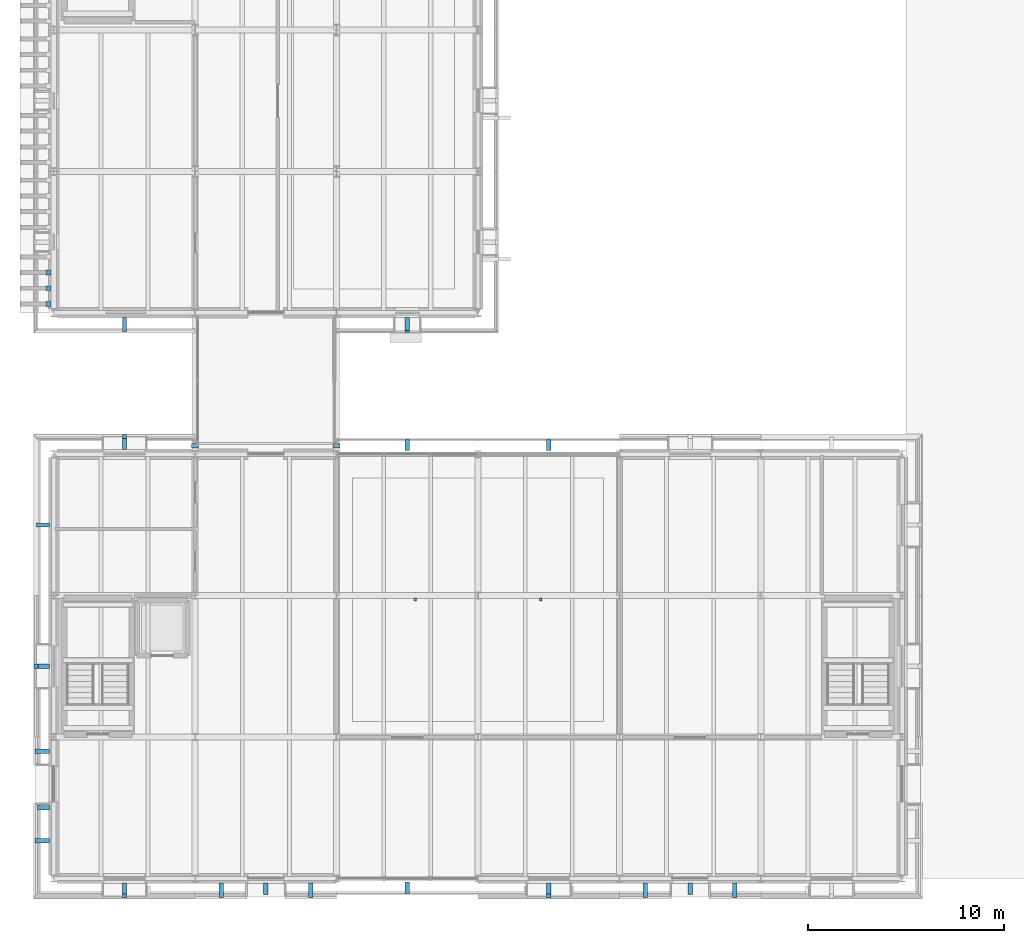
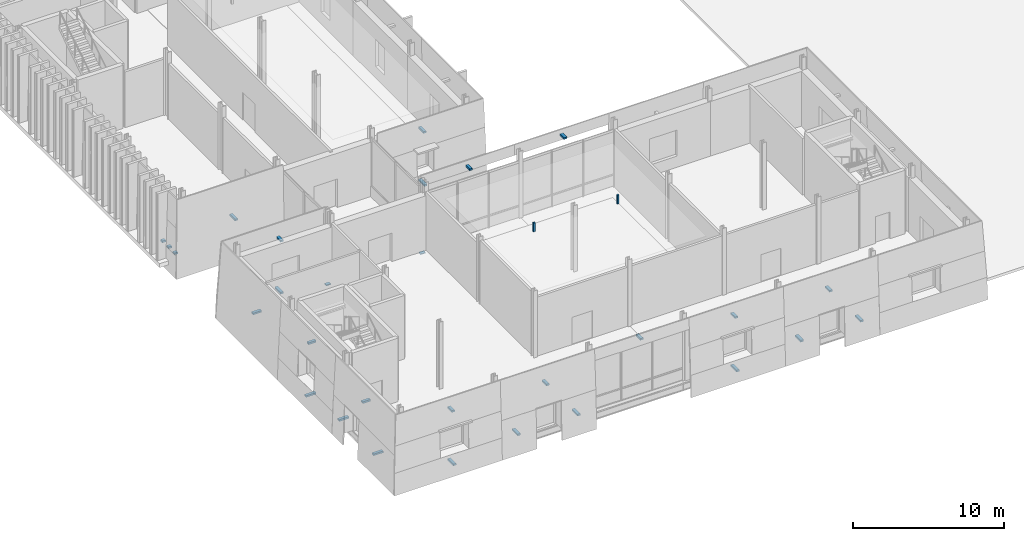
# One storey, part 86 of 120: 31 discrete accessories.
"""IFC4 building model written with IfcOpenShell, lengths in metres."""

from ifc_helpers import new_model, si_unit, direction, frame, origin, origin_2d, place, context, subcontext, project, spatial, rectangle, extrude, material, layer, layer_set, type_object, element, save


model = new_model("IFC4")

# Units and contexts
model_context = context("Model", 3, precision=1e-05, world=origin(), true_north=direction((0.0, 1.0)))
body_context = subcontext(model_context, "Body", "Model", "MODEL_VIEW")
ifc_project = project(units=[si_unit("LENGTHUNIT", "METRE"), si_unit("AREAUNIT", "SQUARE_METRE"), si_unit("VOLUMEUNIT", "CUBIC_METRE"), si_unit("PLANEANGLEUNIT", "RADIAN"), si_unit("MASSUNIT", "GRAM", prefix="KILO")], contexts=[model_context])

# Site, building, storey
site_placement = place(None, origin())
site = spatial("IfcSite", under=ifc_project, at=site_placement, CompositionType="ELEMENT")
building_placement = place(site_placement, origin())
building = spatial("IfcBuilding", under=site, at=building_placement, Name="Narikvali Park Central Library", CompositionType="ELEMENT")
storey_placement = place(building_placement, origin())
storey = spatial("IfcBuildingStorey", under=building, at=storey_placement, Name="L00", CompositionType="ELEMENT", Elevation=0.0)

# Discrete accessories
ifc_material_1 = material(Name="Brushed Stainless Steel S355", Category="steel")
ifc_layer_1 = layer(ifc_material_1, 0.139892578125, Name="Brushed Stainless Steel S355")
ifc_layer_set_1 = layer_set([ifc_layer_1], Name="Brushed Stainless Steel S355")
discrete_accessory_type_1 = type_object("IfcDiscreteAccessoryType", Name="Cladding Stainless Tie-Back Corbel Bracket", PredefinedType="BRACKET", material=ifc_layer_set_1)
discrete_accessory_1_placement = place(storey_placement, frame((3.60009765625, -0.61328125, -0.06005859375), z_axis=(0.0, 0.0, 1.0), x_axis=(1.0, 0.0, 0.0)))
element("IfcDiscreteAccessory", 1, at=discrete_accessory_1_placement, inside=storey, type_object=discrete_accessory_type_1, Name="Limestone Cladding Tie-Back Bracket V2-CLD-L00-S-B01-SP", PredefinedType="BRACKET", context=body_context, shape_type="SweptSolid", body=[
    extrude(rectangle(XDim=0.219970703125, YDim=0.7666015625, at=origin_2d()), origin(), (0.0, 0.0, 1.0), 0.139892578125),
])
discrete_accessory_2_placement = place(storey_placement, frame((3.60009765625, -0.515625, 4.1298828125), z_axis=(0.0, 0.0, 1.0), x_axis=(1.0, 0.0, 0.0)))
element("IfcDiscreteAccessory", 2, at=discrete_accessory_2_placement, inside=storey, type_object=discrete_accessory_type_1, Name="Limestone Cladding Tie-Back Bracket V2-CLD-L00-S-B01-LN", PredefinedType="BRACKET", context=body_context, shape_type="SweptSolid", body=[
    extrude(rectangle(XDim=0.219970703125, YDim=0.571044921875, at=origin_2d()), origin(), (0.0, 0.0, 1.0), 0.139892578125),
])
for number, where, z_axis, x_axis, name in (
    (3, (8.52001953125, -0.595703125, 0.60986328125), (0.0, 0.0, 1.0), (1.0, 0.0, 0.0), "Limestone Cladding Tie-Back Bracket V2-CLD-L00-S-B02-DL"),
    (4, (13.080078125, -0.595703125, 0.60986328125), (0.0, 0.0, 1.0), (1.0, 0.0, 0.0), "Limestone Cladding Tie-Back Bracket V2-CLD-L00-S-B02-DR"),
):
    element("IfcDiscreteAccessory", number, at=place(storey_placement, frame(where, z_axis=z_axis, x_axis=x_axis)), inside=storey, type_object=discrete_accessory_type_1, Name=name, PredefinedType="BRACKET", context=body_context, shape_type="SweptSolid", body=[
        extrude(rectangle(XDim=0.219970703125, YDim=0.731689453125, at=origin_2d()), origin(), (0.0, 0.0, 1.0), 0.139892578125),
    ])
discrete_accessory_3_placement = place(storey_placement, frame((10.800048828125, -0.525390625, 3.75), z_axis=(0.0, 0.0, 1.0), x_axis=(1.0, 0.0, 0.0)))
element("IfcDiscreteAccessory", 5, at=discrete_accessory_3_placement, inside=storey, type_object=discrete_accessory_type_1, Name="Limestone Cladding Tie-Back Bracket V2-CLD-L00-S-B02-DH", PredefinedType="BRACKET", context=body_context, shape_type="SweptSolid", body=[
    extrude(rectangle(XDim=0.219970703125, YDim=0.591064453125, at=origin_2d()), origin(), (0.0, 0.0, 1.0), 0.139892578125),
])
discrete_accessory_4_placement = place(storey_placement, frame((18.0, -0.47607421875, 4.8798828125), z_axis=(0.0, 0.0, 1.0), x_axis=(1.0, 0.0, 0.0)))
element("IfcDiscreteAccessory", 6, at=discrete_accessory_4_placement, inside=storey, type_object=discrete_accessory_type_1, Name="Limestone Cladding Tie-Back Bracket V2-CLD-L00-S-B03-HDR", PredefinedType="BRACKET", context=body_context, shape_type="SweptSolid", body=[
    extrude(rectangle(XDim=0.219970703125, YDim=0.572021484375, at=origin_2d()), origin(), (0.0, 0.0, 1.0), 0.139892578125),
])
discrete_accessory_5_placement = place(storey_placement, frame((25.199951171875, -0.61328125, -0.06005859375), z_axis=(0.0, 0.0, 1.0), x_axis=(1.0, 0.0, 0.0)))
element("IfcDiscreteAccessory", 7, at=discrete_accessory_5_placement, inside=storey, type_object=discrete_accessory_type_1, Name="Limestone Cladding Tie-Back Bracket V2-CLD-L00-S-B04-SP", PredefinedType="BRACKET", context=body_context, shape_type="SweptSolid", body=[
    extrude(rectangle(XDim=0.219970703125, YDim=0.7666015625, at=origin_2d()), origin(), (0.0, 0.0, 1.0), 0.139892578125),
])
discrete_accessory_6_placement = place(storey_placement, frame((25.199951171875, -0.515625, 4.1298828125), z_axis=(0.0, 0.0, 1.0), x_axis=(1.0, 0.0, 0.0)))
element("IfcDiscreteAccessory", 8, at=discrete_accessory_6_placement, inside=storey, type_object=discrete_accessory_type_1, Name="Limestone Cladding Tie-Back Bracket V2-CLD-L00-S-B04-LN", PredefinedType="BRACKET", context=body_context, shape_type="SweptSolid", body=[
    extrude(rectangle(XDim=0.219970703125, YDim=0.571044921875, at=origin_2d()), origin(), (0.0, 0.0, 1.0), 0.139892578125),
])
for number, where, z_axis, x_axis, name in (
    (9, (30.1201171875, -0.595703125, 0.60986328125), (0.0, 0.0, 1.0), (1.0, 0.0, 0.0), "Limestone Cladding Tie-Back Bracket V2-CLD-L00-S-B05-DL"),
    (10, (34.679931640625, -0.595703125, 0.60986328125), (0.0, 0.0, 1.0), (1.0, 0.0, 0.0), "Limestone Cladding Tie-Back Bracket V2-CLD-L00-S-B05-DR"),
):
    element("IfcDiscreteAccessory", number, at=place(storey_placement, frame(where, z_axis=z_axis, x_axis=x_axis)), inside=storey, type_object=discrete_accessory_type_1, Name=name, PredefinedType="BRACKET", context=body_context, shape_type="SweptSolid", body=[
        extrude(rectangle(XDim=0.219970703125, YDim=0.731689453125, at=origin_2d()), origin(), (0.0, 0.0, 1.0), 0.139892578125),
    ])
discrete_accessory_7_placement = place(storey_placement, frame((32.39990234375, -0.525390625, 3.75), z_axis=(0.0, 0.0, 1.0), x_axis=(1.0, 0.0, 0.0)))
element("IfcDiscreteAccessory", 11, at=discrete_accessory_7_placement, inside=storey, type_object=discrete_accessory_type_1, Name="Limestone Cladding Tie-Back Bracket V2-CLD-L00-S-B05-DH", PredefinedType="BRACKET", context=body_context, shape_type="SweptSolid", body=[
    extrude(rectangle(XDim=0.219970703125, YDim=0.591064453125, at=origin_2d()), origin(), (0.0, 0.0, 1.0), 0.139892578125),
])
for number, where, z_axis, x_axis, name in (
    (12, (25.199951171875, 22.075927734375, 4.8798828125), (0.0, 0.0, 1.0), (1.0, 0.0, 0.0), "Limestone Cladding Tie-Back Bracket V2-CLD-L00-N-B03-HDR"),
    (13, (18.0, 22.075927734375, 4.8798828125), (0.0, 0.0, 1.0), (1.0, 0.0, 0.0), "Limestone Cladding Tie-Back Bracket V2-CLD-L00-N-B04-HDR"),
):
    element("IfcDiscreteAccessory", number, at=place(storey_placement, frame(where, z_axis=z_axis, x_axis=x_axis)), inside=storey, type_object=discrete_accessory_type_1, Name=name, PredefinedType="BRACKET", context=body_context, shape_type="SweptSolid", body=[
        extrude(rectangle(XDim=0.219970703125, YDim=0.572021484375, at=origin_2d()), origin(), (0.0, 0.0, 1.0), 0.139892578125),
    ])
discrete_accessory_8_placement = place(storey_placement, frame((3.60009765625, 22.21337890625, -0.06005859375), z_axis=(0.0, 0.0, 1.0), x_axis=(1.0, 0.0, 0.0)))
element("IfcDiscreteAccessory", 14, at=discrete_accessory_8_placement, inside=storey, type_object=discrete_accessory_type_1, Name="Limestone Cladding Tie-Back Bracket V2-CLD-L00-N-B06-SP", PredefinedType="BRACKET", context=body_context, shape_type="SweptSolid", body=[
    extrude(rectangle(XDim=0.219970703125, YDim=0.7666015625, at=origin_2d()), origin(), (0.0, 0.0, 1.0), 0.139892578125),
])
discrete_accessory_9_placement = place(storey_placement, frame((3.60009765625, 22.115478515625, 4.1298828125), z_axis=(0.0, 0.0, 1.0), x_axis=(1.0, 0.0, 0.0)))
element("IfcDiscreteAccessory", 15, at=discrete_accessory_9_placement, inside=storey, type_object=discrete_accessory_type_1, Name="Limestone Cladding Tie-Back Bracket V2-CLD-L00-N-B06-LN", PredefinedType="BRACKET", context=body_context, shape_type="SweptSolid", body=[
    extrude(rectangle(XDim=0.219970703125, YDim=0.571044921875, at=origin_2d()), origin(), (0.0, 0.0, 1.0), 0.139892578125),
])
discrete_accessory_10_placement = place(storey_placement, frame((-0.5546875, 18.0, 2.18994140625), z_axis=(0.0, 0.0, 1.0), x_axis=(1.0, 0.0, 0.0)))
element("IfcDiscreteAccessory", 16, at=discrete_accessory_10_placement, inside=storey, type_object=discrete_accessory_type_1, Name="Limestone Cladding Tie-Back Bracket V2-CLD-L00-W-B01-FULL", PredefinedType="BRACKET", context=body_context, shape_type="SweptSolid", body=[
    extrude(rectangle(XDim=0.6494140625, YDim=0.219970703125, at=origin_2d()), origin(), (0.0, 0.0, 1.0), 0.139892578125),
])
discrete_accessory_11_placement = place(storey_placement, frame((-0.61328125, 10.800048828125, -0.06005859375), z_axis=(0.0, 0.0, 1.0), x_axis=(1.0, 0.0, 0.0)))
element("IfcDiscreteAccessory", 17, at=discrete_accessory_11_placement, inside=storey, type_object=discrete_accessory_type_1, Name="Limestone Cladding Tie-Back Bracket V2-CLD-L00-W-B02-SP", PredefinedType="BRACKET", context=body_context, shape_type="SweptSolid", body=[
    extrude(rectangle(XDim=0.7666015625, YDim=0.219970703125, at=origin_2d()), origin(), (0.0, 0.0, 1.0), 0.139892578125),
])
discrete_accessory_12_placement = place(storey_placement, frame((-0.515625, 10.800048828125, 4.1298828125), z_axis=(0.0, 0.0, 1.0), x_axis=(1.0, 0.0, 0.0)))
element("IfcDiscreteAccessory", 18, at=discrete_accessory_12_placement, inside=storey, type_object=discrete_accessory_type_1, Name="Limestone Cladding Tie-Back Bracket V2-CLD-L00-W-B02-LN", PredefinedType="BRACKET", context=body_context, shape_type="SweptSolid", body=[
    extrude(rectangle(XDim=0.571044921875, YDim=0.219970703125, at=origin_2d()), origin(), (0.0, 0.0, 1.0), 0.139892578125),
])
for number, where, z_axis, x_axis, name in (
    (19, (-0.595703125, 6.47998046875, 0.60986328125), (0.0, 0.0, 1.0), (1.0, 0.0, 0.0), "Limestone Cladding Tie-Back Bracket V2-CLD-L00-W-B03-DL"),
    (20, (-0.595703125, 1.919921875, 0.60986328125), (0.0, 0.0, 1.0), (1.0, 0.0, 0.0), "Limestone Cladding Tie-Back Bracket V2-CLD-L00-W-B03-DR"),
):
    element("IfcDiscreteAccessory", number, at=place(storey_placement, frame(where, z_axis=z_axis, x_axis=x_axis)), inside=storey, type_object=discrete_accessory_type_1, Name=name, PredefinedType="BRACKET", context=body_context, shape_type="SweptSolid", body=[
        extrude(rectangle(XDim=0.731689453125, YDim=0.219970703125, at=origin_2d()), origin(), (0.0, 0.0, 1.0), 0.139892578125),
    ])
discrete_accessory_13_placement = place(storey_placement, frame((-0.525390625, 3.60009765625, 3.75), z_axis=(0.0, 0.0, 1.0), x_axis=(1.0, 0.0, 0.0)))
element("IfcDiscreteAccessory", 21, at=discrete_accessory_13_placement, inside=storey, type_object=discrete_accessory_type_1, Name="Limestone Cladding Tie-Back Bracket V2-CLD-L00-W-B03-DH", PredefinedType="BRACKET", context=body_context, shape_type="SweptSolid", body=[
    extrude(rectangle(XDim=0.591064453125, YDim=0.219970703125, at=origin_2d()), origin(), (0.0, 0.0, 1.0), 0.139892578125),
])
discrete_accessory_14_placement = place(storey_placement, frame((3.60009765625, 28.21337890625, 2.18994140625), z_axis=(0.0, 0.0, 1.0), x_axis=(1.0, 0.0, 0.0)))
element("IfcDiscreteAccessory", 22, at=discrete_accessory_14_placement, inside=storey, type_object=discrete_accessory_type_1, Name="Limestone Cladding Tie-Back Bracket V5-CLD-L00-S-B01-FULL", PredefinedType="BRACKET", context=body_context, shape_type="SweptSolid", body=[
    extrude(rectangle(XDim=0.219970703125, YDim=0.71337890625, at=origin_2d()), origin(), (0.0, 0.0, 1.0), 0.139892578125),
])
discrete_accessory_15_placement = place(storey_placement, frame((18.0, 28.181884765625, -0.03515625), z_axis=(0.0, 0.0, 1.0), x_axis=(1.0, 0.0, 0.0)))
element("IfcDiscreteAccessory", 23, at=discrete_accessory_15_placement, inside=storey, type_object=discrete_accessory_type_1, Name="Limestone Cladding Tie-Back Bracket V5-CLD-L00-S-B03-SP", PredefinedType="BRACKET", context=body_context, shape_type="SweptSolid", body=[
    extrude(rectangle(XDim=0.219970703125, YDim=0.776611328125, at=origin_2d()), origin(), (0.0, 0.0, 1.0), 0.139892578125),
])
discrete_accessory_16_placement = place(storey_placement, frame((18.0, 28.2353515625, 4.18017578125), z_axis=(0.0, 0.0, 1.0), x_axis=(1.0, 0.0, 0.0)))
element("IfcDiscreteAccessory", 24, at=discrete_accessory_16_placement, inside=storey, type_object=discrete_accessory_type_1, Name="Limestone Cladding Tie-Back Bracket V5-CLD-L00-S-B03-LN", PredefinedType="BRACKET", context=body_context, shape_type="SweptSolid", body=[
    extrude(rectangle(XDim=0.219970703125, YDim=0.66943359375, at=origin_2d()), origin(), (0.0, 0.0, 1.0), 0.139892578125),
])
ifc_material_2 = material(Name="Galvanised Steel S355", Category="steel")
ifc_layer_2 = layer(ifc_material_2, 0.139892578125, Name="Galvanised Steel S355")
ifc_layer_set_2 = layer_set([ifc_layer_2], Name="Galvanised Steel S355")
discrete_accessory_type_2 = type_object("IfcDiscreteAccessoryType", Name="Fin Base Steel Fixing Bracket", PredefinedType="BRACKET", material=ifc_layer_set_2)
for number, where, z_axis, x_axis, name in (
    (25, (-0.260009765625, 29.25, 0.05029296875), (0.0, 0.0, 1.0), (1.0, 0.0, 0.0), "Brick Fin Base Fixing Bracket 001"),
    (26, (-0.260009765625, 30.050048828125, 0.05029296875), (0.0, 0.0, 1.0), (1.0, 0.0, 0.0), "Brick Fin Base Fixing Bracket 002"),
    (27, (-0.260009765625, 30.85009765625, 0.05029296875), (0.0, 0.0, 1.0), (1.0, 0.0, 0.0), "Brick Fin Base Fixing Bracket 003"),
):
    element("IfcDiscreteAccessory", number, at=place(storey_placement, frame(where, z_axis=z_axis, x_axis=x_axis)), inside=storey, type_object=discrete_accessory_type_2, Name=name, PredefinedType="BRACKET", context=body_context, shape_type="SweptSolid", body=[
        extrude(rectangle(XDim=0.260009765625, YDim=0.239990234375, at=origin_2d()), origin(), (0.0, 0.0, 1.0), 0.139892578125),
    ])
ifc_layer_3 = layer(ifc_material_2, 0.7099609375, Name="Galvanised Steel S355")
ifc_layer_set_3 = layer_set([ifc_layer_3], Name="Galvanised Steel S355")
discrete_accessory_type_3 = type_object("IfcDiscreteAccessoryType", Name="Suspended Ceiling Hanger Rod Assembly", PredefinedType="BRACKET", material=ifc_layer_set_3)
for number, where, z_axis, x_axis, name in (
    (28, (18.39990234375, 14.199951171875, 4.429931640625), (0.0, 0.0, 1.0), (1.0, 0.0, 0.0), "V2 L00 Ceiling Suspension Hanger 03-1"),
    (29, (24.800048828125, 14.199951171875, 4.429931640625), (0.0, 0.0, 1.0), (1.0, 0.0, 0.0), "V2 L00 Ceiling Suspension Hanger 03-2"),
):
    element("IfcDiscreteAccessory", number, at=place(storey_placement, frame(where, z_axis=z_axis, x_axis=x_axis)), inside=storey, type_object=discrete_accessory_type_3, Name=name, PredefinedType="BRACKET", context=body_context, shape_type="SweptSolid", body=[
        extrude(rectangle(XDim=0.139892578125, YDim=0.139892578125, at=origin_2d()), origin(), (0.0, 0.0, 1.0), 0.7099609375),
    ])
ifc_layer_4 = layer(ifc_material_1, 0.080078125, Name="Brushed Stainless Steel S355")
ifc_layer_set_4 = layer_set([ifc_layer_4], Name="Brushed Stainless Steel S355")
discrete_accessory_type_4 = type_object("IfcDiscreteAccessoryType", Name="Unguided PTFE Sliding Bridge Bearing", PredefinedType="BRACKET", material=ifc_layer_set_4)
for number, where, z_axis, x_axis, name in (
    (30, (7.199951171875, 22.030029296875, -0.679931640625), (0.0, 0.0, 1.0), (1.0, 0.0, 0.0), "BRG-5 L00 Unguided PTFE Sliding Bearing 1"),
    (31, (14.39990234375, 22.030029296875, -0.679931640625), (0.0, 0.0, 1.0), (1.0, 0.0, 0.0), "BRG-5 L00 Unguided PTFE Sliding Bearing 2"),
):
    element("IfcDiscreteAccessory", number, at=place(storey_placement, frame(where, z_axis=z_axis, x_axis=x_axis)), inside=storey, type_object=discrete_accessory_type_4, Name=name, PredefinedType="BRACKET", context=body_context, shape_type="SweptSolid", body=[
        extrude(rectangle(XDim=0.360107421875, YDim=0.239990234375, at=origin_2d()), origin(), (0.0, 0.0, 1.0), 0.080078125),
    ])

save(model, "model.ifc")
